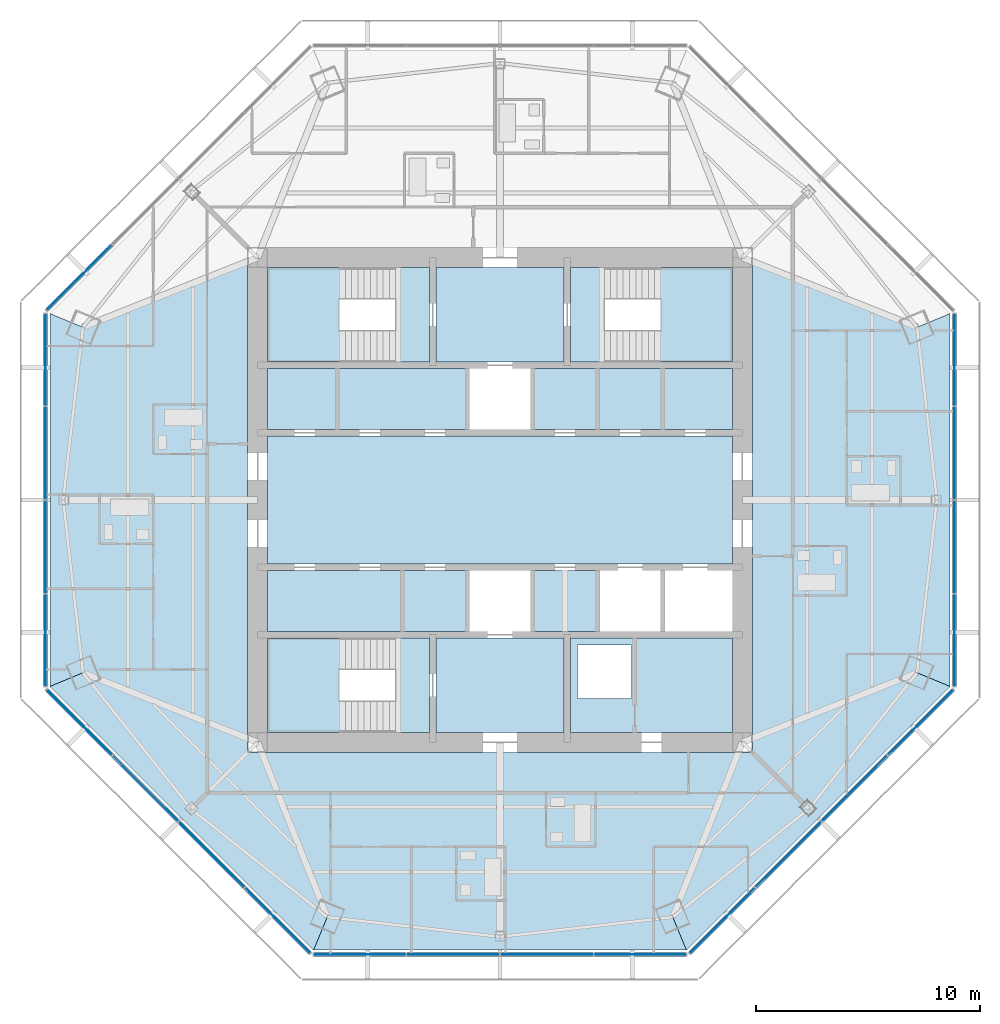
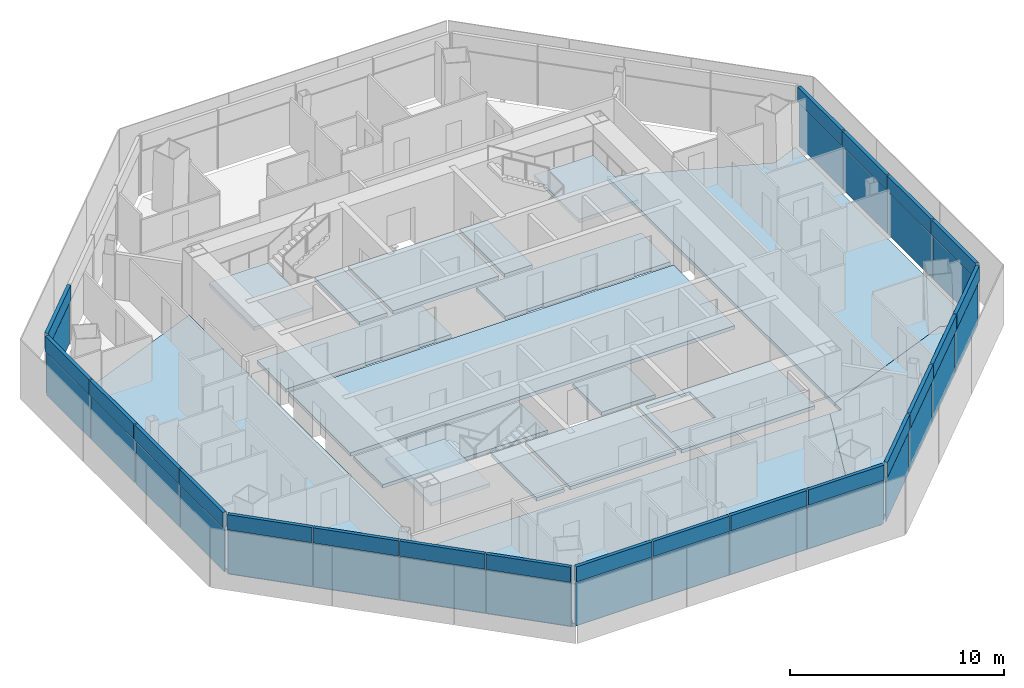
# One storey, part 8 of 15: 42 plates, 19 slabs, 9 elements without a shape of their own.
"""IFC4 building model written with IfcOpenShell, lengths in metres."""

from ifc_helpers import new_model, si_unit, direction, frame, origin, origin_2d, place, context, subcontext, project, spatial, polyline, rectangle, outline, extrude, source, transform, mapped, material, layer, layer_set, type_object, type_shapes, element, aggregate, save


model = new_model("IFC4")

# Units and contexts
model_context = context("Model", 3, precision=1e-05, world=origin(), true_north=direction((0.0, 1.0)))
body_context = subcontext(model_context, "Body", "Model", "MODEL_VIEW")
ifc_project = project(units=[si_unit("LENGTHUNIT", "METRE"), si_unit("AREAUNIT", "SQUARE_METRE"), si_unit("VOLUMEUNIT", "CUBIC_METRE"), si_unit("PLANEANGLEUNIT", "RADIAN"), si_unit("MASSUNIT", "GRAM", prefix="KILO")], contexts=[model_context])

# Site, building, storey
site_placement = place(None, origin())
site = spatial("IfcSite", under=ifc_project, at=site_placement, CompositionType="ELEMENT")
building_placement = place(site_placement, origin())
building = spatial("IfcBuilding", under=site, at=building_placement, Name="Mashrafa Tower", CompositionType="ELEMENT")
storey_placement = place(building_placement, frame((0.0, 0.0, 274.199951171875)))
storey = spatial("IfcBuildingStorey", under=building, at=storey_placement, Name="L66", CompositionType="ELEMENT", Elevation=274.199951171875)

# Slabs
ifc_material_1 = material(Name="Concrete C35/45", Category="concrete")
ifc_layer_1 = layer(ifc_material_1, 0.199951171875)
ifc_layer_set_1 = layer_set([ifc_layer_1], Name="Floor slab 200")
slab_type_1 = type_object("IfcSlabType", Name="Floor slab 200", PredefinedType="FLOOR", material=ifc_layer_set_1)
slab_1_placement = place(storey_placement, frame((0.0, 0.0, -0.199951171875)))
element("IfcSlab", 1, at=slab_1_placement, inside=storey, type_object=slab_type_1, Name="Floor slab L66 east bay", PredefinedType="FLOOR", context=body_context, shape_type="SweptSolid", body=[
    extrude(outline(polyline([(20.05810546875, -8.308349609375), (18.58544921875, -7.6982421875), (11.25, -10.62060546875), (11.25, 10.62060546875), (18.58544921875, 7.6982421875), (20.05810546875, 8.308349609375), (20.05810546875, -8.308349609375)])), origin(), (0.0, 0.0, 1.0), 0.199951171875),
])
slab_2_placement = place(storey_placement, frame((0.0, 0.0, -0.199951171875)))
element("IfcSlab", 2, at=slab_2_placement, inside=storey, type_object=slab_type_1, Name="Floor slab L66 west bay", PredefinedType="FLOOR", context=body_context, shape_type="SweptSolid", body=[
    extrude(outline(polyline([(-20.05810546875, 8.308349609375), (-18.58544921875, 7.6982421875), (-11.25, 10.62060546875), (-11.25, -10.62060546875), (-18.58544921875, -7.6982421875), (-20.05810546875, -8.308349609375), (-20.05810546875, 8.308349609375)])), origin(), (0.0, 0.0, 1.0), 0.199951171875),
])
slab_3_placement = place(storey_placement, frame((0.0, 0.0, -0.199951171875)))
element("IfcSlab", 3, at=slab_3_placement, inside=storey, type_object=slab_type_1, Name="Floor slab L66 south-west bay", PredefinedType="FLOOR", context=body_context, shape_type="SweptSolid", body=[
    extrude(outline(polyline([(-8.308349609375, -20.05810546875), (-20.05810546875, -8.308349609375), (-20.05810546875, -8.308349609375), (-18.58544921875, -7.6982421875), (-11.25, -10.62060546875), (-11.25, -11.25), (-10.62060546875, -11.25), (-7.6982421875, -18.58544921875), (-8.308349609375, -20.05810546875), (-8.308349609375, -20.05810546875)])), origin(), (0.0, 0.0, 1.0), 0.199951171875),
])
slab_4_placement = place(storey_placement, frame((0.0, 0.0, -0.199951171875)))
element("IfcSlab", 4, at=slab_4_placement, inside=storey, type_object=slab_type_1, Name="Floor slab L66 south bay", PredefinedType="FLOOR", context=body_context, shape_type="SweptSolid", body=[
    extrude(outline(polyline([(-8.308349609375, -20.05810546875), (-7.6982421875, -18.58544921875), (-10.62060546875, -11.25), (10.62060546875, -11.25), (7.6982421875, -18.58544921875), (8.308349609375, -20.05810546875), (-8.308349609375, -20.05810546875)])), origin(), (0.0, 0.0, 1.0), 0.199951171875),
])
slab_5_placement = place(storey_placement, frame((0.0, 0.0, -0.199951171875)))
element("IfcSlab", 5, at=slab_5_placement, inside=storey, type_object=slab_type_1, Name="Floor slab L66 south-east bay", PredefinedType="FLOOR", context=body_context, shape_type="SweptSolid", body=[
    extrude(outline(polyline([(8.308349609375, -20.05810546875), (7.6982421875, -18.58544921875), (10.62060546875, -11.25), (11.25, -11.25), (11.25, -10.62060546875), (18.58544921875, -7.6982421875), (20.05810546875, -8.308349609375), (20.05810546875, -8.308349609375), (8.308349609375, -20.05810546875), (8.308349609375, -20.05810546875)])), origin(), (0.0, 0.0, 1.0), 0.199951171875),
])
slab_6_placement = place(storey_placement, frame((0.0, 0.0, -0.199951171875)))
element("IfcSlab", 6, at=slab_6_placement, inside=storey, type_object=slab_type_1, Name="Core floor lift hall L66", PredefinedType="FLOOR", context=body_context, shape_type="SweptSolid", body=[
    extrude(outline(polyline([(-10.35009765625, 2.85009765625), (10.35009765625, 2.85009765625), (10.35009765625, -2.85009765625), (-10.35009765625, -2.85009765625), (-10.35009765625, 2.85009765625)])), origin(), (0.0, 0.0, 1.0), 0.199951171875),
])
slab_7_placement = place(storey_placement, frame((0.0, 0.0, -0.199951171875)))
element("IfcSlab", 7, at=slab_7_placement, inside=storey, type_object=slab_type_1, Name="Core floor riser and electrical band L66", PredefinedType="FLOOR", context=body_context, shape_type="SweptSolid", body=[
    extrude(outline(polyline([(10.35009765625, -6.14990234375), (10.35009765625, -10.35009765625), (3.14990234375, -10.35009765625), (3.14990234375, -6.14990234375), (10.35009765625, -6.14990234375)]), holes=[polyline([(3.449951171875, -8.85009765625), (5.85009765625, -8.85009765625), (5.85009765625, -6.449951171875), (3.449951171875, -6.449951171875), (3.449951171875, -8.85009765625)])]), origin(), (0.0, 0.0, 1.0), 0.199951171875),
])
slab_8_placement = place(storey_placement, frame((0.0, 0.0, -0.199951171875)))
element("IfcSlab", 8, at=slab_8_placement, inside=storey, type_object=slab_type_1, Name="Core floor lift cell L66", PredefinedType="FLOOR", context=body_context, shape_type="SweptSolid", body=[
    extrude(outline(polyline([(10.35009765625, 5.85009765625), (10.35009765625, 3.14990234375), (1.449951171875, 3.14990234375), (1.449951171875, 5.85009765625), (10.35009765625, 5.85009765625)])), origin(), (0.0, 0.0, 1.0), 0.199951171875),
])
slab_9_placement = place(storey_placement, frame((0.0, 0.0, -0.199951171875)))
element("IfcSlab", 9, at=slab_9_placement, inside=storey, type_object=slab_type_1, Name="Core floor lift cell L66", PredefinedType="FLOOR", context=body_context, shape_type="SweptSolid", body=[
    extrude(outline(polyline([(-1.449951171875, 3.14990234375), (-10.35009765625, 3.14990234375), (-10.35009765625, 5.85009765625), (-1.449951171875, 5.85009765625), (-1.449951171875, 3.14990234375)])), origin(), (0.0, 0.0, 1.0), 0.199951171875),
])
slab_10_placement = place(storey_placement, frame((0.0, 0.0, -0.199951171875)))
element("IfcSlab", 10, at=slab_10_placement, inside=storey, type_object=slab_type_1, Name="Core floor lift cell L66", PredefinedType="FLOOR", context=body_context, shape_type="SweptSolid", body=[
    extrude(outline(polyline([(-1.449951171875, -3.14990234375), (-1.449951171875, -5.85009765625), (-10.35009765625, -5.85009765625), (-10.35009765625, -3.14990234375), (-1.449951171875, -3.14990234375)])), origin(), (0.0, 0.0, 1.0), 0.199951171875),
])
slab_11_placement = place(storey_placement, frame((0.0, 0.0, -0.199951171875)))
element("IfcSlab", 11, at=slab_11_placement, inside=storey, type_object=slab_type_1, Name="Core floor fire-fighting lobby south L66", PredefinedType="FLOOR", context=body_context, shape_type="SweptSolid", body=[
    extrude(outline(polyline([(2.85009765625, -6.14990234375), (2.85009765625, -10.35009765625), (-2.85009765625, -10.35009765625), (-2.85009765625, -6.14990234375), (2.85009765625, -6.14990234375)])), origin(), (0.0, 0.0, 1.0), 0.199951171875),
])
slab_12_placement = place(storey_placement, frame((0.0, 0.0, -0.199951171875)))
element("IfcSlab", 12, at=slab_12_placement, inside=storey, type_object=slab_type_1, Name="Core floor fire-fighting lobby north L66", PredefinedType="FLOOR", context=body_context, shape_type="SweptSolid", body=[
    extrude(outline(polyline([(-2.85009765625, 10.35009765625), (2.85009765625, 10.35009765625), (2.85009765625, 6.14990234375), (-2.85009765625, 6.14990234375), (-2.85009765625, 10.35009765625)])), origin(), (0.0, 0.0, 1.0), 0.199951171875),
])
slab_13_placement = place(storey_placement, frame((0.0, 0.0, -0.199951171875)))
element("IfcSlab", 13, at=slab_13_placement, inside=storey, type_object=slab_type_1, Name="Core floor lift cell L66", PredefinedType="FLOOR", context=body_context, shape_type="SweptSolid", body=[
    extrude(outline(polyline([(4.35009765625, -3.14990234375), (4.35009765625, -5.85009765625), (1.449951171875, -5.85009765625), (1.449951171875, -3.14990234375), (4.35009765625, -3.14990234375)])), origin(), (0.0, 0.0, 1.0), 0.199951171875),
])

# Stair, slabs
ifc_material_2 = material(Name="Exit stair 1400")
stair_type = type_object("IfcStairType", Name="Exit stair 1400", PredefinedType="HALF_TURN_STAIR", material=ifc_material_2)
stair_1_placement = place(storey_placement, origin())
stair_1 = element("IfcStair", 14, at=stair_1_placement, inside=storey, type_object=stair_type, Name="Stair S1 L66", PredefinedType="HALF_TURN_STAIR")
ifc_material_3 = material(Name="Concrete C32/40", Category="concrete")
ifc_layer_2 = layer(ifc_material_3, 0.199951171875)
ifc_layer_set_2 = layer_set([ifc_layer_2], Name="Stair landing 200")
slab_type_2 = type_object("IfcSlabType", Name="Stair landing 200", PredefinedType="LANDING", material=ifc_layer_set_2)
slab_14_placement = place(storey_placement, frame((0.0, 0.0, -0.199951171875)))
slab_14 = element("IfcSlab", 15, at=slab_14_placement, type_object=slab_type_2, Name="S1 landing 1", PredefinedType="LANDING", context=body_context, shape_type="SweptSolid", body=[
    extrude(outline(polyline([(-4.659912109375, 6.14990234375), (-3.14990234375, 6.14990234375), (-3.14990234375, 10.35009765625), (-4.659912109375, 10.35009765625), (-4.659912109375, 6.14990234375)])), origin(), (0.0, 0.0, 1.0), 0.199951171875),
])
slab_15_placement = place(storey_placement, frame((0.0, 0.0, 1.5)))
slab_15 = element("IfcSlab", 16, at=slab_15_placement, type_object=slab_type_2, Name="S1 landing 2", PredefinedType="LANDING", context=body_context, shape_type="SweptSolid", body=[
    extrude(outline(polyline([(-10.35009765625, 6.14990234375), (-7.159912109375, 6.14990234375), (-7.159912109375, 10.35009765625), (-10.35009765625, 10.35009765625), (-10.35009765625, 6.14990234375)])), origin(), (0.0, 0.0, 1.0), 0.199951171875),
])
aggregate(stair_1, [slab_14, slab_15])

stair_2_placement = place(storey_placement, origin())
stair_2 = element("IfcStair", 17, at=stair_2_placement, inside=storey, type_object=stair_type, Name="Stair S2 L66", PredefinedType="HALF_TURN_STAIR")
slab_16_placement = place(storey_placement, frame((0.0, 0.0, -0.199951171875)))
slab_16 = element("IfcSlab", 18, at=slab_16_placement, type_object=slab_type_2, Name="S2 landing 1", PredefinedType="LANDING", context=body_context, shape_type="SweptSolid", body=[
    extrude(outline(polyline([(3.14990234375, 6.14990234375), (4.659912109375, 6.14990234375), (4.659912109375, 10.35009765625), (3.14990234375, 10.35009765625), (3.14990234375, 6.14990234375)])), origin(), (0.0, 0.0, 1.0), 0.199951171875),
])
slab_17_placement = place(storey_placement, frame((0.0, 0.0, 1.5)))
slab_17 = element("IfcSlab", 19, at=slab_17_placement, type_object=slab_type_2, Name="S2 landing 2", PredefinedType="LANDING", context=body_context, shape_type="SweptSolid", body=[
    extrude(outline(polyline([(7.159912109375, 6.14990234375), (10.35009765625, 6.14990234375), (10.35009765625, 10.35009765625), (7.159912109375, 10.35009765625), (7.159912109375, 6.14990234375)])), origin(), (0.0, 0.0, 1.0), 0.199951171875),
])
aggregate(stair_2, [slab_16, slab_17])

stair_3_placement = place(storey_placement, origin())
stair_3 = element("IfcStair", 20, at=stair_3_placement, inside=storey, type_object=stair_type, Name="Stair S3 L66", PredefinedType="HALF_TURN_STAIR")
slab_18_placement = place(storey_placement, frame((0.0, 0.0, -0.199951171875)))
slab_18 = element("IfcSlab", 21, at=slab_18_placement, type_object=slab_type_2, Name="S3 landing 1", PredefinedType="LANDING", context=body_context, shape_type="SweptSolid", body=[
    extrude(outline(polyline([(-4.659912109375, -10.35009765625), (-3.14990234375, -10.35009765625), (-3.14990234375, -6.14990234375), (-4.659912109375, -6.14990234375), (-4.659912109375, -10.35009765625)])), origin(), (0.0, 0.0, 1.0), 0.199951171875),
])
slab_19_placement = place(storey_placement, frame((0.0, 0.0, 1.5)))
slab_19 = element("IfcSlab", 22, at=slab_19_placement, type_object=slab_type_2, Name="S3 landing 2", PredefinedType="LANDING", context=body_context, shape_type="SweptSolid", body=[
    extrude(outline(polyline([(-10.35009765625, -10.35009765625), (-7.159912109375, -10.35009765625), (-7.159912109375, -6.14990234375), (-10.35009765625, -6.14990234375), (-10.35009765625, -10.35009765625)])), origin(), (0.0, 0.0, 1.0), 0.199951171875),
])
aggregate(stair_3, [slab_18, slab_19])

# Curtain wall, plates
ifc_material_4 = material(Name="Unitised aluminium curtain wall", Category="aluminium")
curtain_wall_type = type_object("IfcCurtainWallType", Name="Apartment curtain wall, zone 4 CW-D 160 deep", PredefinedType="NOTDEFINED", material=ifc_material_4)
curtain_wall_1_placement = place(storey_placement, origin())
curtain_wall_1 = element("IfcCurtainWall", 23, at=curtain_wall_1_placement, inside=storey, type_object=curtain_wall_type, Name="Apartment curtain wall, zone 4 L66 east", PredefinedType="NOTDEFINED")
ifc_material_5 = material(Name="Insulated double glazing, acoustic", Category="glass")
ifc_layer_3 = layer(ifc_material_5, 0.028076171875)
ifc_layer_set_3 = layer_set([ifc_layer_3], Name="Vision panel CW-D 28")
plate_type_1 = type_object("IfcPlateType", Name="Vision panel CW-D 28", PredefinedType="CURTAIN_PANEL", material=ifc_layer_set_3)
shared_shape_1 = source(origin(), body_context, "Body", "SweptSolid", [
    extrude(rectangle(XDim=4.083984375, YDim=0.028076171875, at=origin_2d()), origin(), (0.0, 0.0, 1.0), 2.46240234375),
])
plate_1_placement = place(storey_placement, frame((20.258056640625, -6.24609375, 0.0), z_axis=(0.0, 0.0, 1.0), x_axis=(0.0, 1.0, 0.0)))
plate_1 = element("IfcPlate", 24, at=plate_1_placement, type_object=plate_type_1, Name="CW-D vision panel 1", PredefinedType="CURTAIN_PANEL", context=body_context, shape_type="MappedRepresentation", body=[
    mapped(shared_shape_1, transform((0.0, 0.0, 0.0))),
])
plate_2_placement = place(storey_placement, frame((20.258056640625, 6.24609375, 0.0), z_axis=(0.0, 0.0, 1.0), x_axis=(0.0, 1.0, 0.0)))
plate_2 = element("IfcPlate", 25, at=plate_2_placement, type_object=plate_type_1, Name="CW-D vision panel 4", PredefinedType="CURTAIN_PANEL", context=body_context, shape_type="MappedRepresentation", body=[
    mapped(shared_shape_1, transform((0.0, 0.0, 0.0))),
])

# Curtain wall, plate
curtain_wall_2_placement = place(storey_placement, origin())
curtain_wall_2 = element("IfcCurtainWall", 26, at=curtain_wall_2_placement, inside=storey, type_object=curtain_wall_type, Name="Apartment curtain wall, zone 4 L66 north-west", PredefinedType="NOTDEFINED")
plate_3_placement = place(storey_placement, frame((-18.7412109375, 9.907958984375, 0.0), z_axis=(0.0, 0.0, 1.0), x_axis=(-0.707106781187, -0.707106781187, 0.0)))
plate_3 = element("IfcPlate", 27, at=plate_3_placement, type_object=plate_type_1, Name="CW-D vision panel 4", PredefinedType="CURTAIN_PANEL", context=body_context, shape_type="MappedRepresentation", body=[
    mapped(shared_shape_1, transform((0.0, 0.0, 0.0))),
])

# Curtain wall, plates
curtain_wall_3_placement = place(storey_placement, origin())
curtain_wall_3 = element("IfcCurtainWall", 28, at=curtain_wall_3_placement, inside=storey, type_object=curtain_wall_type, Name="Apartment curtain wall, zone 4 L66 west", PredefinedType="NOTDEFINED")
plate_4_placement = place(storey_placement, frame((-20.258056640625, 6.24609375, 0.0), z_axis=(0.0, 0.0, 1.0), x_axis=(0.0, -1.0, 0.0)))
plate_4 = element("IfcPlate", 29, at=plate_4_placement, type_object=plate_type_1, Name="CW-D vision panel 1", PredefinedType="CURTAIN_PANEL", context=body_context, shape_type="MappedRepresentation", body=[
    mapped(shared_shape_1, transform((0.0, 0.0, 0.0))),
])
plate_5_placement = place(storey_placement, frame((-20.258056640625, -6.24609375, 0.0), z_axis=(0.0, 0.0, 1.0), x_axis=(0.0, -1.0, 0.0)))
plate_5 = element("IfcPlate", 30, at=plate_5_placement, type_object=plate_type_1, Name="CW-D vision panel 4", PredefinedType="CURTAIN_PANEL", context=body_context, shape_type="MappedRepresentation", body=[
    mapped(shared_shape_1, transform((0.0, 0.0, 0.0))),
])

curtain_wall_4_placement = place(storey_placement, origin())
curtain_wall_4 = element("IfcCurtainWall", 31, at=curtain_wall_4_placement, inside=storey, type_object=curtain_wall_type, Name="Apartment curtain wall, zone 4 L66 south-west", PredefinedType="NOTDEFINED")
plate_6_placement = place(storey_placement, frame((-18.7412109375, -9.907958984375, 0.0), z_axis=(0.0, 0.0, 1.0), x_axis=(0.707106781187, -0.707106781187, 0.0)))
plate_6 = element("IfcPlate", 32, at=plate_6_placement, type_object=plate_type_1, Name="CW-D vision panel 1", PredefinedType="CURTAIN_PANEL", context=body_context, shape_type="MappedRepresentation", body=[
    mapped(shared_shape_1, transform((0.0, 0.0, 0.0))),
])
plate_7_placement = place(storey_placement, frame((-9.907958984375, -18.7412109375, 0.0), z_axis=(0.0, 0.0, 1.0), x_axis=(0.707106781187, -0.707106781187, 0.0)))
plate_7 = element("IfcPlate", 33, at=plate_7_placement, type_object=plate_type_1, Name="CW-D vision panel 4", PredefinedType="CURTAIN_PANEL", context=body_context, shape_type="MappedRepresentation", body=[
    mapped(shared_shape_1, transform((0.0, 0.0, 0.0))),
])

curtain_wall_5_placement = place(storey_placement, origin())
curtain_wall_5 = element("IfcCurtainWall", 34, at=curtain_wall_5_placement, inside=storey, type_object=curtain_wall_type, Name="Apartment curtain wall, zone 4 L66 south", PredefinedType="NOTDEFINED")
plate_8_placement = place(storey_placement, frame((-6.24609375, -20.258056640625, 0.0), z_axis=(0.0, 0.0, 1.0), x_axis=(1.0, 0.0, 0.0)))
plate_8 = element("IfcPlate", 35, at=plate_8_placement, type_object=plate_type_1, Name="CW-D vision panel 1", PredefinedType="CURTAIN_PANEL", context=body_context, shape_type="MappedRepresentation", body=[
    mapped(shared_shape_1, transform((0.0, 0.0, 0.0))),
])
plate_9_placement = place(storey_placement, frame((6.24609375, -20.258056640625, 0.0), z_axis=(0.0, 0.0, 1.0), x_axis=(1.0, 0.0, 0.0)))
plate_9 = element("IfcPlate", 36, at=plate_9_placement, type_object=plate_type_1, Name="CW-D vision panel 4", PredefinedType="CURTAIN_PANEL", context=body_context, shape_type="MappedRepresentation", body=[
    mapped(shared_shape_1, transform((0.0, 0.0, 0.0))),
])

curtain_wall_6_placement = place(storey_placement, origin())
curtain_wall_6 = element("IfcCurtainWall", 37, at=curtain_wall_6_placement, inside=storey, type_object=curtain_wall_type, Name="Apartment curtain wall, zone 4 L66 south-east", PredefinedType="NOTDEFINED")
plate_10_placement = place(storey_placement, frame((9.907958984375, -18.7412109375, 0.0), z_axis=(0.0, 0.0, 1.0), x_axis=(0.707106781187, 0.707106781187, 0.0)))
plate_10 = element("IfcPlate", 38, at=plate_10_placement, type_object=plate_type_1, Name="CW-D vision panel 1", PredefinedType="CURTAIN_PANEL", context=body_context, shape_type="MappedRepresentation", body=[
    mapped(shared_shape_1, transform((0.0, 0.0, 0.0))),
])
plate_11_placement = place(storey_placement, frame((18.7412109375, -9.907958984375, 0.0), z_axis=(0.0, 0.0, 1.0), x_axis=(0.707106781187, 0.707106781187, 0.0)))
plate_11 = element("IfcPlate", 39, at=plate_11_placement, type_object=plate_type_1, Name="CW-D vision panel 4", PredefinedType="CURTAIN_PANEL", context=body_context, shape_type="MappedRepresentation", body=[
    mapped(shared_shape_1, transform((0.0, 0.0, 0.0))),
])

# Plate
ifc_material_6 = material(Name="Insulated bronze aluminium spandrel panel", Category="aluminium")
ifc_layer_4 = layer(ifc_material_6, 0.179931640625)
ifc_layer_set_4 = layer_set([ifc_layer_4], Name="Spandrel panel CW-D 180")
plate_type_2 = type_object("IfcPlateType", Name="Spandrel panel CW-D 180", PredefinedType="CURTAIN_PANEL", material=ifc_layer_set_4)
shared_shape_2 = source(origin(), body_context, "Body", "SweptSolid", [
    extrude(rectangle(XDim=4.083984375, YDim=0.179931640625, at=origin_2d()), origin(), (0.0, 0.0, 1.0), 0.862548828125),
])
plate_12_placement = place(storey_placement, frame((20.258056640625, -6.24609375, 2.53759765625), z_axis=(0.0, 0.0, 1.0), x_axis=(0.0, 1.0, 0.0)))
plate_12 = element("IfcPlate", 40, at=plate_12_placement, type_object=plate_type_2, Name="CW-D spandrel panel 1", PredefinedType="CURTAIN_PANEL", context=body_context, shape_type="MappedRepresentation", body=[
    mapped(shared_shape_2, transform((0.0, 0.0, 0.0))),
])

plate_13_placement = place(storey_placement, frame((20.258056640625, 6.24609375, 2.53759765625), z_axis=(0.0, 0.0, 1.0), x_axis=(0.0, 1.0, 0.0)))
plate_13 = element("IfcPlate", 41, at=plate_13_placement, type_object=plate_type_2, Name="CW-D spandrel panel 4", PredefinedType="CURTAIN_PANEL", context=body_context, shape_type="MappedRepresentation", body=[
    mapped(shared_shape_2, transform((0.0, 0.0, 0.0))),
])

plate_14_placement = place(storey_placement, frame((-18.7412109375, 9.907958984375, 2.53759765625), z_axis=(0.0, 0.0, 1.0), x_axis=(-0.707106781187, -0.707106781187, 0.0)))
plate_14 = element("IfcPlate", 42, at=plate_14_placement, type_object=plate_type_2, Name="CW-D spandrel panel 4", PredefinedType="CURTAIN_PANEL", context=body_context, shape_type="MappedRepresentation", body=[
    mapped(shared_shape_2, transform((0.0, 0.0, 0.0))),
])

aggregate(curtain_wall_2, [plate_3, plate_14])

plate_15_placement = place(storey_placement, frame((-20.258056640625, 6.24609375, 2.53759765625), z_axis=(0.0, 0.0, 1.0), x_axis=(0.0, -1.0, 0.0)))
plate_15 = element("IfcPlate", 43, at=plate_15_placement, type_object=plate_type_2, Name="CW-D spandrel panel 1", PredefinedType="CURTAIN_PANEL", context=body_context, shape_type="MappedRepresentation", body=[
    mapped(shared_shape_2, transform((0.0, 0.0, 0.0))),
])

plate_16_placement = place(storey_placement, frame((-20.258056640625, -6.24609375, 2.53759765625), z_axis=(0.0, 0.0, 1.0), x_axis=(0.0, -1.0, 0.0)))
plate_16 = element("IfcPlate", 44, at=plate_16_placement, type_object=plate_type_2, Name="CW-D spandrel panel 4", PredefinedType="CURTAIN_PANEL", context=body_context, shape_type="MappedRepresentation", body=[
    mapped(shared_shape_2, transform((0.0, 0.0, 0.0))),
])

plate_17_placement = place(storey_placement, frame((-18.7412109375, -9.907958984375, 2.53759765625), z_axis=(0.0, 0.0, 1.0), x_axis=(0.707106781187, -0.707106781187, 0.0)))
plate_17 = element("IfcPlate", 45, at=plate_17_placement, type_object=plate_type_2, Name="CW-D spandrel panel 1", PredefinedType="CURTAIN_PANEL", context=body_context, shape_type="MappedRepresentation", body=[
    mapped(shared_shape_2, transform((0.0, 0.0, 0.0))),
])

plate_18_placement = place(storey_placement, frame((-9.907958984375, -18.7412109375, 2.53759765625), z_axis=(0.0, 0.0, 1.0), x_axis=(0.707106781187, -0.707106781187, 0.0)))
plate_18 = element("IfcPlate", 46, at=plate_18_placement, type_object=plate_type_2, Name="CW-D spandrel panel 4", PredefinedType="CURTAIN_PANEL", context=body_context, shape_type="MappedRepresentation", body=[
    mapped(shared_shape_2, transform((0.0, 0.0, 0.0))),
])

plate_19_placement = place(storey_placement, frame((-6.24609375, -20.258056640625, 2.53759765625), z_axis=(0.0, 0.0, 1.0), x_axis=(1.0, 0.0, 0.0)))
plate_19 = element("IfcPlate", 47, at=plate_19_placement, type_object=plate_type_2, Name="CW-D spandrel panel 1", PredefinedType="CURTAIN_PANEL", context=body_context, shape_type="MappedRepresentation", body=[
    mapped(shared_shape_2, transform((0.0, 0.0, 0.0))),
])

plate_20_placement = place(storey_placement, frame((6.24609375, -20.258056640625, 2.53759765625), z_axis=(0.0, 0.0, 1.0), x_axis=(1.0, 0.0, 0.0)))
plate_20 = element("IfcPlate", 48, at=plate_20_placement, type_object=plate_type_2, Name="CW-D spandrel panel 4", PredefinedType="CURTAIN_PANEL", context=body_context, shape_type="MappedRepresentation", body=[
    mapped(shared_shape_2, transform((0.0, 0.0, 0.0))),
])

plate_21_placement = place(storey_placement, frame((9.907958984375, -18.7412109375, 2.53759765625), z_axis=(0.0, 0.0, 1.0), x_axis=(0.707106781187, 0.707106781187, 0.0)))
plate_21 = element("IfcPlate", 49, at=plate_21_placement, type_object=plate_type_2, Name="CW-D spandrel panel 1", PredefinedType="CURTAIN_PANEL", context=body_context, shape_type="MappedRepresentation", body=[
    mapped(shared_shape_2, transform((0.0, 0.0, 0.0))),
])

plate_22_placement = place(storey_placement, frame((18.7412109375, -9.907958984375, 2.53759765625), z_axis=(0.0, 0.0, 1.0), x_axis=(0.707106781187, 0.707106781187, 0.0)))
plate_22 = element("IfcPlate", 50, at=plate_22_placement, type_object=plate_type_2, Name="CW-D spandrel panel 4", PredefinedType="CURTAIN_PANEL", context=body_context, shape_type="MappedRepresentation", body=[
    mapped(shared_shape_2, transform((0.0, 0.0, 0.0))),
])

shared_shape_3 = source(origin(), body_context, "Body", "SweptSolid", [
    extrude(rectangle(XDim=4.114013671875, YDim=0.028076171875, at=origin_2d()), origin(), (0.0, 0.0, 1.0), 2.46240234375),
])
type_shapes(plate_type_1, [shared_shape_1, shared_shape_3])
plate_23_placement = place(storey_placement, frame((20.258056640625, -2.0869140625, 0.0), z_axis=(0.0, 0.0, 1.0), x_axis=(0.0, 1.0, 0.0)))
plate_23 = element("IfcPlate", 51, at=plate_23_placement, type_object=plate_type_1, Name="CW-D vision panel 2", PredefinedType="CURTAIN_PANEL", context=body_context, shape_type="MappedRepresentation", body=[
    mapped(shared_shape_3, transform((0.0, 0.0, 0.0))),
])

plate_24_placement = place(storey_placement, frame((20.258056640625, 2.0869140625, 0.0), z_axis=(0.0, 0.0, 1.0), x_axis=(0.0, 1.0, 0.0)))
plate_24 = element("IfcPlate", 52, at=plate_24_placement, type_object=plate_type_1, Name="CW-D vision panel 3", PredefinedType="CURTAIN_PANEL", context=body_context, shape_type="MappedRepresentation", body=[
    mapped(shared_shape_3, transform((0.0, 0.0, 0.0))),
])

plate_25_placement = place(storey_placement, frame((-20.258056640625, 2.0869140625, 0.0), z_axis=(0.0, 0.0, 1.0), x_axis=(0.0, -1.0, 0.0)))
plate_25 = element("IfcPlate", 53, at=plate_25_placement, type_object=plate_type_1, Name="CW-D vision panel 2", PredefinedType="CURTAIN_PANEL", context=body_context, shape_type="MappedRepresentation", body=[
    mapped(shared_shape_3, transform((0.0, 0.0, 0.0))),
])

plate_26_placement = place(storey_placement, frame((-20.258056640625, -2.0869140625, 0.0), z_axis=(0.0, 0.0, 1.0), x_axis=(0.0, -1.0, 0.0)))
plate_26 = element("IfcPlate", 54, at=plate_26_placement, type_object=plate_type_1, Name="CW-D vision panel 3", PredefinedType="CURTAIN_PANEL", context=body_context, shape_type="MappedRepresentation", body=[
    mapped(shared_shape_3, transform((0.0, 0.0, 0.0))),
])

plate_27_placement = place(storey_placement, frame((-15.80029296875, -12.848876953125, 0.0), z_axis=(0.0, 0.0, 1.0), x_axis=(0.707106781187, -0.707106781187, 0.0)))
plate_27 = element("IfcPlate", 55, at=plate_27_placement, type_object=plate_type_1, Name="CW-D vision panel 2", PredefinedType="CURTAIN_PANEL", context=body_context, shape_type="MappedRepresentation", body=[
    mapped(shared_shape_3, transform((0.0, 0.0, 0.0))),
])

plate_28_placement = place(storey_placement, frame((-12.848876953125, -15.80029296875, 0.0), z_axis=(0.0, 0.0, 1.0), x_axis=(0.707106781187, -0.707106781187, 0.0)))
plate_28 = element("IfcPlate", 56, at=plate_28_placement, type_object=plate_type_1, Name="CW-D vision panel 3", PredefinedType="CURTAIN_PANEL", context=body_context, shape_type="MappedRepresentation", body=[
    mapped(shared_shape_3, transform((0.0, 0.0, 0.0))),
])

plate_29_placement = place(storey_placement, frame((-2.0869140625, -20.258056640625, 0.0), z_axis=(0.0, 0.0, 1.0), x_axis=(1.0, 0.0, 0.0)))
plate_29 = element("IfcPlate", 57, at=plate_29_placement, type_object=plate_type_1, Name="CW-D vision panel 2", PredefinedType="CURTAIN_PANEL", context=body_context, shape_type="MappedRepresentation", body=[
    mapped(shared_shape_3, transform((0.0, 0.0, 0.0))),
])

plate_30_placement = place(storey_placement, frame((2.0869140625, -20.258056640625, 0.0), z_axis=(0.0, 0.0, 1.0), x_axis=(1.0, 0.0, 0.0)))
plate_30 = element("IfcPlate", 58, at=plate_30_placement, type_object=plate_type_1, Name="CW-D vision panel 3", PredefinedType="CURTAIN_PANEL", context=body_context, shape_type="MappedRepresentation", body=[
    mapped(shared_shape_3, transform((0.0, 0.0, 0.0))),
])

plate_31_placement = place(storey_placement, frame((12.848876953125, -15.80029296875, 0.0), z_axis=(0.0, 0.0, 1.0), x_axis=(0.707106781187, 0.707106781187, 0.0)))
plate_31 = element("IfcPlate", 59, at=plate_31_placement, type_object=plate_type_1, Name="CW-D vision panel 2", PredefinedType="CURTAIN_PANEL", context=body_context, shape_type="MappedRepresentation", body=[
    mapped(shared_shape_3, transform((0.0, 0.0, 0.0))),
])

plate_32_placement = place(storey_placement, frame((15.80029296875, -12.848876953125, 0.0), z_axis=(0.0, 0.0, 1.0), x_axis=(0.707106781187, 0.707106781187, 0.0)))
plate_32 = element("IfcPlate", 60, at=plate_32_placement, type_object=plate_type_1, Name="CW-D vision panel 3", PredefinedType="CURTAIN_PANEL", context=body_context, shape_type="MappedRepresentation", body=[
    mapped(shared_shape_3, transform((0.0, 0.0, 0.0))),
])

shared_shape_4 = source(origin(), body_context, "Body", "SweptSolid", [
    extrude(rectangle(XDim=4.114013671875, YDim=0.179931640625, at=origin_2d()), origin(), (0.0, 0.0, 1.0), 0.862548828125),
])
type_shapes(plate_type_2, [shared_shape_2, shared_shape_4])
plate_33_placement = place(storey_placement, frame((20.258056640625, -2.0869140625, 2.53759765625), z_axis=(0.0, 0.0, 1.0), x_axis=(0.0, 1.0, 0.0)))
plate_33 = element("IfcPlate", 61, at=plate_33_placement, type_object=plate_type_2, Name="CW-D spandrel panel 2", PredefinedType="CURTAIN_PANEL", context=body_context, shape_type="MappedRepresentation", body=[
    mapped(shared_shape_4, transform((0.0, 0.0, 0.0))),
])

plate_34_placement = place(storey_placement, frame((20.258056640625, 2.0869140625, 2.53759765625), z_axis=(0.0, 0.0, 1.0), x_axis=(0.0, 1.0, 0.0)))
plate_34 = element("IfcPlate", 62, at=plate_34_placement, type_object=plate_type_2, Name="CW-D spandrel panel 3", PredefinedType="CURTAIN_PANEL", context=body_context, shape_type="MappedRepresentation", body=[
    mapped(shared_shape_4, transform((0.0, 0.0, 0.0))),
])

aggregate(curtain_wall_1, [plate_1, plate_12, plate_23, plate_33, plate_24, plate_34, plate_2, plate_13])

plate_35_placement = place(storey_placement, frame((-20.258056640625, 2.0869140625, 2.53759765625), z_axis=(0.0, 0.0, 1.0), x_axis=(0.0, -1.0, 0.0)))
plate_35 = element("IfcPlate", 63, at=plate_35_placement, type_object=plate_type_2, Name="CW-D spandrel panel 2", PredefinedType="CURTAIN_PANEL", context=body_context, shape_type="MappedRepresentation", body=[
    mapped(shared_shape_4, transform((0.0, 0.0, 0.0))),
])

plate_36_placement = place(storey_placement, frame((-20.258056640625, -2.0869140625, 2.53759765625), z_axis=(0.0, 0.0, 1.0), x_axis=(0.0, -1.0, 0.0)))
plate_36 = element("IfcPlate", 64, at=plate_36_placement, type_object=plate_type_2, Name="CW-D spandrel panel 3", PredefinedType="CURTAIN_PANEL", context=body_context, shape_type="MappedRepresentation", body=[
    mapped(shared_shape_4, transform((0.0, 0.0, 0.0))),
])

aggregate(curtain_wall_3, [plate_4, plate_15, plate_25, plate_35, plate_26, plate_36, plate_5, plate_16])

plate_37_placement = place(storey_placement, frame((-15.80029296875, -12.848876953125, 2.53759765625), z_axis=(0.0, 0.0, 1.0), x_axis=(0.707106781187, -0.707106781187, 0.0)))
plate_37 = element("IfcPlate", 65, at=plate_37_placement, type_object=plate_type_2, Name="CW-D spandrel panel 2", PredefinedType="CURTAIN_PANEL", context=body_context, shape_type="MappedRepresentation", body=[
    mapped(shared_shape_4, transform((0.0, 0.0, 0.0))),
])

plate_38_placement = place(storey_placement, frame((-12.848876953125, -15.80029296875, 2.53759765625), z_axis=(0.0, 0.0, 1.0), x_axis=(0.707106781187, -0.707106781187, 0.0)))
plate_38 = element("IfcPlate", 66, at=plate_38_placement, type_object=plate_type_2, Name="CW-D spandrel panel 3", PredefinedType="CURTAIN_PANEL", context=body_context, shape_type="MappedRepresentation", body=[
    mapped(shared_shape_4, transform((0.0, 0.0, 0.0))),
])

aggregate(curtain_wall_4, [plate_6, plate_17, plate_27, plate_37, plate_28, plate_38, plate_7, plate_18])

plate_39_placement = place(storey_placement, frame((-2.0869140625, -20.258056640625, 2.53759765625), z_axis=(0.0, 0.0, 1.0), x_axis=(1.0, 0.0, 0.0)))
plate_39 = element("IfcPlate", 67, at=plate_39_placement, type_object=plate_type_2, Name="CW-D spandrel panel 2", PredefinedType="CURTAIN_PANEL", context=body_context, shape_type="MappedRepresentation", body=[
    mapped(shared_shape_4, transform((0.0, 0.0, 0.0))),
])

plate_40_placement = place(storey_placement, frame((2.0869140625, -20.258056640625, 2.53759765625), z_axis=(0.0, 0.0, 1.0), x_axis=(1.0, 0.0, 0.0)))
plate_40 = element("IfcPlate", 68, at=plate_40_placement, type_object=plate_type_2, Name="CW-D spandrel panel 3", PredefinedType="CURTAIN_PANEL", context=body_context, shape_type="MappedRepresentation", body=[
    mapped(shared_shape_4, transform((0.0, 0.0, 0.0))),
])

aggregate(curtain_wall_5, [plate_8, plate_19, plate_29, plate_39, plate_30, plate_40, plate_9, plate_20])

plate_41_placement = place(storey_placement, frame((12.848876953125, -15.80029296875, 2.53759765625), z_axis=(0.0, 0.0, 1.0), x_axis=(0.707106781187, 0.707106781187, 0.0)))
plate_41 = element("IfcPlate", 69, at=plate_41_placement, type_object=plate_type_2, Name="CW-D spandrel panel 2", PredefinedType="CURTAIN_PANEL", context=body_context, shape_type="MappedRepresentation", body=[
    mapped(shared_shape_4, transform((0.0, 0.0, 0.0))),
])

plate_42_placement = place(storey_placement, frame((15.80029296875, -12.848876953125, 2.53759765625), z_axis=(0.0, 0.0, 1.0), x_axis=(0.707106781187, 0.707106781187, 0.0)))
plate_42 = element("IfcPlate", 70, at=plate_42_placement, type_object=plate_type_2, Name="CW-D spandrel panel 3", PredefinedType="CURTAIN_PANEL", context=body_context, shape_type="MappedRepresentation", body=[
    mapped(shared_shape_4, transform((0.0, 0.0, 0.0))),
])

aggregate(curtain_wall_6, [plate_10, plate_21, plate_31, plate_41, plate_32, plate_42, plate_11, plate_22])

save(model, "model.ifc")
